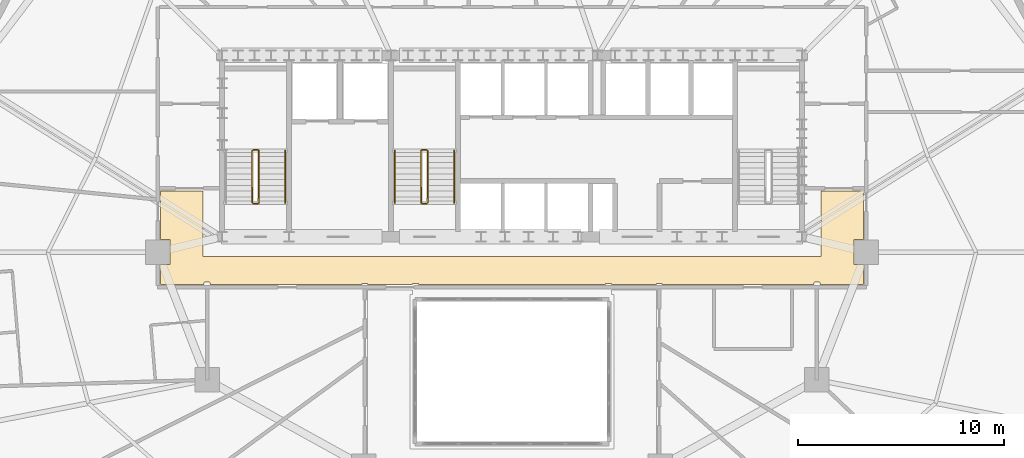
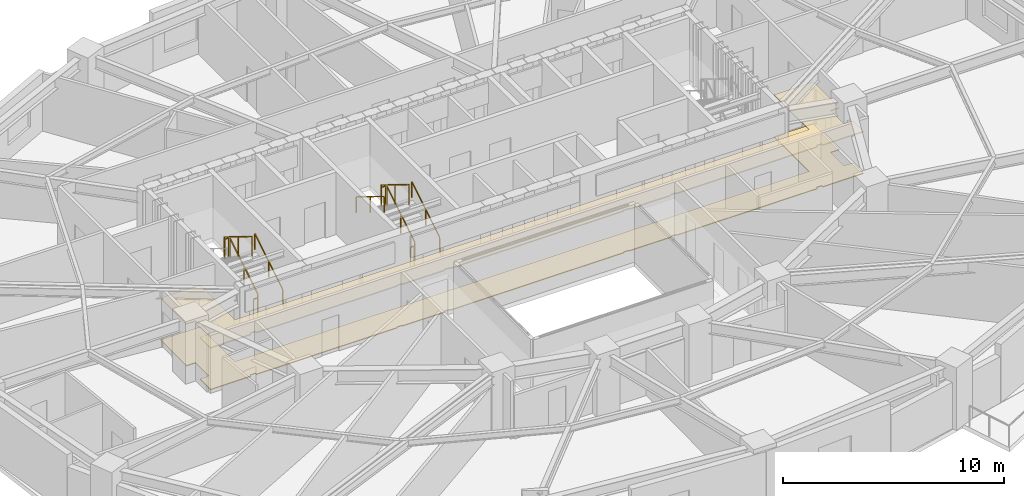
# One storey, part 13 of 14: 11 railings, 2 coverings.
"""IFC4 building model written with IfcOpenShell, lengths in metres."""

import ifcopenshell
import ifcopenshell.guid

model = None  # the IFC model being written
_history = None  # IfcOwnerHistory: only IFC2X3 demands one
_inside = {}  # id of a spatial element -> (the spatial element, [elements in it])
_under = {}  # id of a project, library or spatial element -> (it, [spatial elements below it])
_declared = {}  # id of a project -> (the project, [libraries it declares])
_typed = {}  # id of a type object -> (the type object, [elements of that type])
_made_of = {}  # id of a material, layer set ... -> (it, [elements and type objects made of it])


def new_model(schema):
    """Start an empty IFC model of exactly this schema.

    Asked for "IFC4X3", IfcOpenShell would pick the latest addendum, in which some entities
    have other attributes; the version numbers below select the first issue.
    IFC2X3 requires an IfcOwnerHistory on every rooted entity: one is made here for all.
    """
    global model, _history
    if schema == "IFC4X3":
        model = ifcopenshell.file(schema_version=(4, 3, 0, 0))
    else:
        model = ifcopenshell.file(schema=schema)
    _inside.clear()
    _under.clear()
    _declared.clear()
    _typed.clear()
    _made_of.clear()
    _history = None
    if model.schema == "IFC2X3":
        org = make("IfcOrganization", Name="unknown")
        user = make(
            "IfcPersonAndOrganization",
            ThePerson=make("IfcPerson", FamilyName="unknown"),
            TheOrganization=org,
        )
        app = make(
            "IfcApplication",
            ApplicationDeveloper=org,
            Version="unknown",
            ApplicationFullName="unknown",
            ApplicationIdentifier="unknown",
        )
        _history = make(
            "IfcOwnerHistory",
            OwningUser=user,
            OwningApplication=app,
            ChangeAction="ADDED",
            CreationDate=0,
        )
    return model


def make(cls, **values):
    """One entity of the class cls with the attributes given. An attribute that is None is left unset."""
    return model.create_entity(
        cls, **{name: value for name, value in values.items() if value is not None}
    )


def rooted(cls, **values):
    """An entity with a GlobalId (a new one), such as an element, a storey or a relation."""
    return make(cls, GlobalId=ifcopenshell.guid.new(), OwnerHistory=_history, **values)


def si_unit(unit_type, name, prefix=None):
    """IfcSIUnit, for example si_unit("LENGTHUNIT", "METRE", prefix="MILLI")."""
    return make("IfcSIUnit", UnitType=unit_type, Prefix=prefix, Name=name)


def assignment(units):
    """IfcUnitAssignment: the units of a project."""
    return None if units is None else make("IfcUnitAssignment", Units=units)


def point(xyz):
    """IfcCartesianPoint."""
    return None if xyz is None else make("IfcCartesianPoint", Coordinates=xyz)


def direction(xyz):
    """IfcDirection."""
    return None if xyz is None else make("IfcDirection", DirectionRatios=xyz)


def frame(location, z_axis=None, x_axis=None):
    """IfcAxis2Placement3D, a coordinate frame: its origin and axes. An axis left out is left unset."""
    return make(
        "IfcAxis2Placement3D",
        Location=point(location),
        Axis=direction(z_axis),
        RefDirection=direction(x_axis),
    )


def frame_2d(location, x_axis=None):
    """IfcAxis2Placement2D, a coordinate frame in the plane: its origin and x axis."""
    return make(
        "IfcAxis2Placement2D", Location=point(location), RefDirection=direction(x_axis)
    )


def origin():
    """The frame at (0, 0, 0) with its axes left unset."""
    return frame((0.0, 0.0, 0.0))


def origin_2d():
    """The frame at (0, 0) in the plane with its x axis left unset."""
    return frame_2d((0.0, 0.0))


def place(relative_to, where):
    """IfcLocalPlacement: puts the frame where relative to a parent placement (None: the world)."""
    return make(
        "IfcLocalPlacement", PlacementRelTo=relative_to, RelativePlacement=where
    )


def context(
    kind, dimensions, precision=None, world=None, true_north=None, identifier=None
):
    """IfcGeometricRepresentationContext, for example the 3D "Model" context."""
    return make(
        "IfcGeometricRepresentationContext",
        ContextIdentifier=identifier,
        ContextType=kind,
        CoordinateSpaceDimension=dimensions,
        Precision=precision,
        WorldCoordinateSystem=world,
        TrueNorth=true_north,
    )


def subcontext(parent, identifier, kind, view, scale=None):
    """IfcGeometricRepresentationSubContext, for example "Body" below "Model"."""
    return make(
        "IfcGeometricRepresentationSubContext",
        ContextIdentifier=identifier,
        ContextType=kind,
        ParentContext=parent,
        TargetScale=scale,
        TargetView=view,
    )


def project(units=None, contexts=None):
    """IfcProject with its units and contexts."""
    return rooted(
        "IfcProject",
        Name="project",
        RepresentationContexts=contexts,
        UnitsInContext=assignment(units),
    )


def spatial(cls, under=None, at=None, **own):
    """A site, building, storey or space (cls), placed at a placement, below another one or the project."""
    s = rooted(cls, ObjectPlacement=at, **own)
    if under is not None:
        _under.setdefault(under.id(), (under, []))[1].append(s)
    return s


def polyline(points):
    """IfcPolyline through the points."""
    return make("IfcPolyline", Points=[point(p) for p in points])


def profile(cls, at=None, kind="AREA", **sizes):
    """A parametric profile (cls). Its sizes go by their IFC names, for example OverallWidth=200.0."""
    return make(cls, ProfileType=kind, Position=at, **sizes)


def rectangle(**sizes):
    """IfcRectangleProfileDef."""
    return profile("IfcRectangleProfileDef", **sizes)


def outline(outer, holes=None, kind="AREA"):
    """IfcArbitraryClosedProfileDef: a profile drawn as a closed curve; with holes, ...WithVoids."""
    if holes is None:
        return make("IfcArbitraryClosedProfileDef", ProfileType=kind, OuterCurve=outer)
    return make(
        "IfcArbitraryProfileDefWithVoids",
        ProfileType=kind,
        OuterCurve=outer,
        InnerCurves=holes,
    )


def extrude(swept, where, along, depth):
    """IfcExtrudedAreaSolid: the profile swept, set in the frame where, extruded along a direction by depth."""
    return make(
        "IfcExtrudedAreaSolid",
        SweptArea=swept,
        Position=where,
        ExtrudedDirection=direction(along),
        Depth=depth,
    )


def shape(context_of_items, identifier, shape_type, items):
    """IfcShapeRepresentation: the items that make up one representation, for example the "Body"."""
    return make(
        "IfcShapeRepresentation",
        ContextOfItems=context_of_items,
        RepresentationIdentifier=identifier,
        RepresentationType=shape_type,
        Items=items,
    )


def material(Name=None, Category=None):
    """IfcMaterial."""
    return make("IfcMaterial", Name=Name, Category=Category)


def layer(
    of_material, thickness, ventilated=None, Name=None, Category=None, Priority=None
):
    """IfcMaterialLayer: one layer of a wall or slab, of a material (None: an air gap)."""
    return make(
        "IfcMaterialLayer",
        Material=of_material,
        LayerThickness=thickness,
        IsVentilated=ventilated,
        Name=Name,
        Category=Category,
        Priority=Priority,
    )


def layer_set(layers, Name=None):
    """IfcMaterialLayerSet."""
    return make("IfcMaterialLayerSet", MaterialLayers=layers, LayerSetName=Name)


def made_of(thing, what):
    """Note that an element or type object is made of a material, layer set ...; save() writes the relation."""
    if what is not None:
        _made_of.setdefault(what.id(), (what, []))[1].append(thing)
    return thing


def type_object(cls, material=None, **own):
    """A type object (cls), such as IfcWallType, which elements share."""
    return made_of(rooted(cls, **own), material)


def element(
    cls,
    number,
    at=None,
    inside=None,
    cuts=None,
    type_object=None,
    material=None,
    context=None,
    identifier="Body",
    shape_type=None,
    held_by="IfcProductDefinitionShape",
    body=None,
    shapes=None,
    **own,
):
    """One element of the class cls, such as IfcWall. Its Tag is "e" and its number.

    at: its placement. inside: the storey or other place that contains it. cuts: it is an
    opening in that element (IfcRelVoidsElement). A single representation is given by context,
    identifier, shape_type and body (its items); several are given by shapes. held_by: the class
    of the entity that holds the representations. save() writes the other relations.
    """
    e = rooted(cls, Tag="e%d" % number, ObjectPlacement=at, **own)
    if body is not None:
        shapes = [shape(context, identifier, shape_type, body)]
    if shapes is not None:
        e.Representation = make(held_by, Representations=shapes)
    if inside is not None:
        _inside.setdefault(inside.id(), (inside, []))[1].append(e)
    if cuts is not None:
        rooted(
            "IfcRelVoidsElement", RelatingBuildingElement=cuts, RelatedOpeningElement=e
        )
    if type_object is not None:
        _typed.setdefault(type_object.id(), (type_object, []))[1].append(e)
    return made_of(e, material)


def aggregate(whole, parts):
    """IfcRelAggregates: a whole, such as a stair, and the parts it consists of."""
    return rooted("IfcRelAggregates", RelatingObject=whole, RelatedObjects=parts)


def save(model, path):
    """Write the relations noted so far, then the file.

    IfcRelAggregates (storeys below a building ...), IfcRelContainedInSpatialStructure (elements
    in a storey), IfcRelDefinesByType, IfcRelAssociatesMaterial and IfcRelDeclares: one each for
    every whole, place, type object, material and project.
    """
    for whole, parts in _under.values():
        aggregate(whole, parts)
    for where, things in _inside.values():
        rooted(
            "IfcRelContainedInSpatialStructure",
            RelatedElements=things,
            RelatingStructure=where,
        )
    for kind, things in _typed.values():
        rooted("IfcRelDefinesByType", RelatedObjects=things, RelatingType=kind)
    for what, things in _made_of.values():
        rooted("IfcRelAssociatesMaterial", RelatedObjects=things, RelatingMaterial=what)
    for by, libraries in _declared.values():
        rooted("IfcRelDeclares", RelatingContext=by, RelatedDefinitions=libraries)
    model.write(path)


model = new_model("IFC4")

# Units and contexts
model_context = context("Model", 3, precision=1e-05, world=origin(), true_north=direction((0.0, 1.0)))
body_context = subcontext(model_context, "Body", "Model", "MODEL_VIEW")
ifc_project = project(units=[si_unit("LENGTHUNIT", "METRE"), si_unit("AREAUNIT", "SQUARE_METRE"), si_unit("VOLUMEUNIT", "CUBIC_METRE"), si_unit("PLANEANGLEUNIT", "RADIAN"), si_unit("MASSUNIT", "GRAM", prefix="KILO")], contexts=[model_context])

# Site, building, storey
site_placement = place(None, origin())
site = spatial("IfcSite", under=ifc_project, at=site_placement, CompositionType="ELEMENT")
building_placement = place(site_placement, origin())
building = spatial("IfcBuilding", under=site, at=building_placement, Name="Haldorwick Loom Tower", CompositionType="ELEMENT")
storey_placement = place(building_placement, frame((0.0, 0.0, 95.60009765625)))
storey = spatial("IfcBuildingStorey", under=building, at=storey_placement, Name="L25", CompositionType="ELEMENT", Elevation=95.60009765625)

# Coverings
ifc_material_1 = material(Name="Mineral Fibre Acoustic Ceiling Tile")
ifc_layer_1 = layer(ifc_material_1, 0.054931640625, Name="Mineral Fibre Acoustic Ceiling Tile")
ifc_layer_set_1 = layer_set([ifc_layer_1], Name="Mineral Fibre Acoustic Ceiling Tile")
covering_type_1 = type_object("IfcCoveringType", Name="ARC-COV-CEIL2", PredefinedType="CEILING", material=ifc_layer_set_1)
covering_1_placement = place(storey_placement, frame((0.0, 0.0, 2.302001953125)))
element("IfcCovering", 1, at=covering_1_placement, inside=storey, type_object=covering_type_1, Name="L25 Acoustic Suspended Ceiling 2", PredefinedType="CEILING", context=body_context, shape_type="SweptSolid", body=[
    extrude(outline(polyline([(51.0, 28.9599609375), (51.0, 25.800048828125), (21.0, 25.800048828125), (21.0, 28.9599609375), (18.93994140625, 28.9599609375), (18.93994140625, 26.60791015625), (19.407958984375, 26.60791015625), (19.407958984375, 25.39208984375), (18.93994140625, 25.39208984375), (18.93994140625, 24.43994140625), (21.06005859375, 24.43994140625), (21.06005859375, 24.52001953125), (21.06005859375, 24.52197265625), (21.060302734375, 24.52392578125), (21.060791015625, 24.52587890625), (21.0615234375, 24.527587890625), (21.0625, 24.529296875), (21.0634765625, 24.531005859375), (21.064453125, 24.53271484375), (21.06591796875, 24.5341796875), (21.0673828125, 24.535400390625), (21.06884765625, 24.53662109375), (21.070556640625, 24.53759765625), (21.072265625, 24.53857421875), (21.07421875, 24.5390625), (21.076171875, 24.53955078125), (21.077880859375, 24.539794921875), (21.080078125, 24.5400390625), (21.320068359375, 24.5400390625), (21.322021484375, 24.539794921875), (21.323974609375, 24.53955078125), (21.32568359375, 24.5390625), (21.32763671875, 24.53857421875), (21.329345703125, 24.53759765625), (21.3310546875, 24.53662109375), (21.332763671875, 24.535400390625), (21.333984375, 24.5341796875), (21.33544921875, 24.53271484375), (21.336669921875, 24.531005859375), (21.337646484375, 24.529296875), (21.33837890625, 24.527587890625), (21.339111328125, 24.52587890625), (21.339599609375, 24.52392578125), (21.33984375, 24.52197265625), (21.340087890625, 24.52001953125), (21.340087890625, 24.43994140625), (28.7099609375, 24.43994140625), (28.7099609375, 24.469970703125), (28.710205078125, 24.471923828125), (28.71044921875, 24.473876953125), (28.7109375, 24.475830078125), (28.71142578125, 24.477783203125), (28.71240234375, 24.4794921875), (28.71337890625, 24.481201171875), (28.714599609375, 24.482666015625), (28.7158203125, 24.484130859375), (28.71728515625, 24.485595703125), (28.718994140625, 24.486572265625), (28.720703125, 24.487548828125), (28.722412109375, 24.488525390625), (28.72412109375, 24.489013671875), (28.72607421875, 24.489501953125), (28.72802734375, 24.489990234375), (28.72998046875, 24.489990234375), (28.969970703125, 24.489990234375), (28.971923828125, 24.489990234375), (28.973876953125, 24.489501953125), (28.975830078125, 24.489013671875), (28.977783203125, 24.488525390625), (28.9794921875, 24.487548828125), (28.981201171875, 24.486572265625), (28.982666015625, 24.485595703125), (28.984130859375, 24.484130859375), (28.985595703125, 24.482666015625), (28.986572265625, 24.481201171875), (28.987548828125, 24.4794921875), (28.988525390625, 24.477783203125), (28.989013671875, 24.475830078125), (28.989501953125, 24.473876953125), (28.989990234375, 24.471923828125), (28.989990234375, 24.469970703125), (28.989990234375, 24.43994140625), (31.179931640625, 24.43994140625), (31.179931640625, 24.469970703125), (31.18017578125, 24.471923828125), (31.180419921875, 24.473876953125), (31.180908203125, 24.475830078125), (31.181396484375, 24.477783203125), (31.182373046875, 24.4794921875), (31.183349609375, 24.481201171875), (31.1845703125, 24.482666015625), (31.185791015625, 24.484130859375), (31.187255859375, 24.485595703125), (31.18896484375, 24.486572265625), (31.190673828125, 24.487548828125), (31.1923828125, 24.488525390625), (31.194091796875, 24.489013671875), (31.196044921875, 24.489501953125), (31.197998046875, 24.489990234375), (31.199951171875, 24.489990234375), (31.43994140625, 24.489990234375), (31.44189453125, 24.489990234375), (31.44384765625, 24.489501953125), (31.44580078125, 24.489013671875), (31.44775390625, 24.488525390625), (31.449462890625, 24.487548828125), (31.451171875, 24.486572265625), (31.45263671875, 24.485595703125), (31.4541015625, 24.484130859375), (31.45556640625, 24.482666015625), (31.45654296875, 24.481201171875), (31.45751953125, 24.4794921875), (31.45849609375, 24.477783203125), (31.458984375, 24.475830078125), (31.459716796875, 24.473876953125), (31.4599609375, 24.471923828125), (31.4599609375, 24.469970703125), (31.4599609375, 24.43994140625), (40.5400390625, 24.43994140625), (40.5400390625, 24.469970703125), (40.5400390625, 24.471923828125), (40.540283203125, 24.473876953125), (40.541015625, 24.475830078125), (40.54150390625, 24.477783203125), (40.54248046875, 24.4794921875), (40.54345703125, 24.481201171875), (40.54443359375, 24.482666015625), (40.5458984375, 24.484130859375), (40.54736328125, 24.485595703125), (40.548828125, 24.486572265625), (40.550537109375, 24.487548828125), (40.55224609375, 24.488525390625), (40.55419921875, 24.489013671875), (40.55615234375, 24.489501953125), (40.55810546875, 24.489990234375), (40.56005859375, 24.489990234375), (40.800048828125, 24.489990234375), (40.802001953125, 24.489990234375), (40.803955078125, 24.489501953125), (40.805908203125, 24.489013671875), (40.8076171875, 24.488525390625), (40.809326171875, 24.487548828125), (40.81103515625, 24.486572265625), (40.812744140625, 24.485595703125), (40.814208984375, 24.484130859375), (40.8154296875, 24.482666015625), (40.816650390625, 24.481201171875), (40.817626953125, 24.4794921875), (40.818603515625, 24.477783203125), (40.819091796875, 24.475830078125), (40.819580078125, 24.473876953125), (40.81982421875, 24.471923828125), (40.820068359375, 24.469970703125), (40.820068359375, 24.43994140625), (43.010009765625, 24.43994140625), (43.010009765625, 24.469970703125), (43.010009765625, 24.471923828125), (43.010498046875, 24.473876953125), (43.010986328125, 24.475830078125), (43.011474609375, 24.477783203125), (43.012451171875, 24.4794921875), (43.013427734375, 24.481201171875), (43.014404296875, 24.482666015625), (43.015869140625, 24.484130859375), (43.017333984375, 24.485595703125), (43.018798828125, 24.486572265625), (43.0205078125, 24.487548828125), (43.022216796875, 24.488525390625), (43.024169921875, 24.489013671875), (43.026123046875, 24.489501953125), (43.028076171875, 24.489990234375), (43.030029296875, 24.489990234375), (43.27001953125, 24.489990234375), (43.27197265625, 24.489990234375), (43.27392578125, 24.489501953125), (43.27587890625, 24.489013671875), (43.277587890625, 24.488525390625), (43.279296875, 24.487548828125), (43.281005859375, 24.486572265625), (43.28271484375, 24.485595703125), (43.2841796875, 24.484130859375), (43.285400390625, 24.482666015625), (43.28662109375, 24.481201171875), (43.28759765625, 24.4794921875), (43.28857421875, 24.477783203125), (43.2890625, 24.475830078125), (43.28955078125, 24.473876953125), (43.289794921875, 24.471923828125), (43.2900390625, 24.469970703125), (43.2900390625, 24.43994140625), (50.659912109375, 24.43994140625), (50.659912109375, 24.52001953125), (50.66015625, 24.52197265625), (50.660400390625, 24.52392578125), (50.660888671875, 24.52587890625), (50.66162109375, 24.527587890625), (50.662353515625, 24.529296875), (50.663330078125, 24.531005859375), (50.66455078125, 24.53271484375), (50.666015625, 24.5341796875), (50.667236328125, 24.535400390625), (50.6689453125, 24.53662109375), (50.670654296875, 24.53759765625), (50.67236328125, 24.53857421875), (50.67431640625, 24.5390625), (50.676025390625, 24.53955078125), (50.677978515625, 24.539794921875), (50.679931640625, 24.5400390625), (50.919921875, 24.5400390625), (50.922119140625, 24.539794921875), (50.923828125, 24.53955078125), (50.92578125, 24.5390625), (50.927734375, 24.53857421875), (50.929443359375, 24.53759765625), (50.93115234375, 24.53662109375), (50.9326171875, 24.535400390625), (50.93408203125, 24.5341796875), (50.935546875, 24.53271484375), (50.9365234375, 24.531005859375), (50.9375, 24.529296875), (50.9384765625, 24.527587890625), (50.939208984375, 24.52587890625), (50.939697265625, 24.52392578125), (50.93994140625, 24.52197265625), (50.93994140625, 24.52001953125), (50.93994140625, 24.43994140625), (53.06005859375, 24.43994140625), (53.06005859375, 25.39208984375), (52.592041015625, 25.39208984375), (52.592041015625, 26.60791015625), (53.06005859375, 26.60791015625), (53.06005859375, 28.9599609375), (51.0, 28.9599609375)])), origin(), (0.0, 0.0, 1.0), 0.054931640625),
])
ifc_material_2 = material(Name="Polished Aggregate Terrazzo Finish")
ifc_layer_2 = layer(ifc_material_2, 0.044921875, Name="Polished Aggregate Terrazzo Finish")
ifc_layer_set_2 = layer_set([ifc_layer_2], Name="Polished Aggregate Terrazzo Finish")
covering_type_2 = type_object("IfcCoveringType", Name="ARC-COV-FLOOR2", PredefinedType="FLOORING", material=ifc_layer_set_2)
covering_2_placement = place(storey_placement, origin())
element("IfcCovering", 2, at=covering_2_placement, inside=storey, type_object=covering_type_2, Name="L25 Floor Finish 2", PredefinedType="FLOORING", context=body_context, shape_type="SweptSolid", body=[
    extrude(outline(polyline([(51.0, 28.9599609375), (51.0, 25.800048828125), (21.0, 25.800048828125), (21.0, 28.9599609375), (18.93994140625, 28.9599609375), (18.93994140625, 26.60791015625), (19.407958984375, 26.60791015625), (19.407958984375, 25.39208984375), (18.93994140625, 25.39208984375), (18.93994140625, 24.43994140625), (21.06005859375, 24.43994140625), (21.06005859375, 24.52001953125), (21.06005859375, 24.52197265625), (21.060302734375, 24.52392578125), (21.060791015625, 24.52587890625), (21.0615234375, 24.527587890625), (21.0625, 24.529296875), (21.0634765625, 24.531005859375), (21.064453125, 24.53271484375), (21.06591796875, 24.5341796875), (21.0673828125, 24.535400390625), (21.06884765625, 24.53662109375), (21.070556640625, 24.53759765625), (21.072265625, 24.53857421875), (21.07421875, 24.5390625), (21.076171875, 24.53955078125), (21.077880859375, 24.539794921875), (21.080078125, 24.5400390625), (21.320068359375, 24.5400390625), (21.322021484375, 24.539794921875), (21.323974609375, 24.53955078125), (21.32568359375, 24.5390625), (21.32763671875, 24.53857421875), (21.329345703125, 24.53759765625), (21.3310546875, 24.53662109375), (21.332763671875, 24.535400390625), (21.333984375, 24.5341796875), (21.33544921875, 24.53271484375), (21.336669921875, 24.531005859375), (21.337646484375, 24.529296875), (21.33837890625, 24.527587890625), (21.339111328125, 24.52587890625), (21.339599609375, 24.52392578125), (21.33984375, 24.52197265625), (21.340087890625, 24.52001953125), (21.340087890625, 24.43994140625), (28.7099609375, 24.43994140625), (28.7099609375, 24.469970703125), (28.710205078125, 24.471923828125), (28.71044921875, 24.473876953125), (28.7109375, 24.475830078125), (28.71142578125, 24.477783203125), (28.71240234375, 24.4794921875), (28.71337890625, 24.481201171875), (28.714599609375, 24.482666015625), (28.7158203125, 24.484130859375), (28.71728515625, 24.485595703125), (28.718994140625, 24.486572265625), (28.720703125, 24.487548828125), (28.722412109375, 24.488525390625), (28.72412109375, 24.489013671875), (28.72607421875, 24.489501953125), (28.72802734375, 24.489990234375), (28.72998046875, 24.489990234375), (28.969970703125, 24.489990234375), (28.971923828125, 24.489990234375), (28.973876953125, 24.489501953125), (28.975830078125, 24.489013671875), (28.977783203125, 24.488525390625), (28.9794921875, 24.487548828125), (28.981201171875, 24.486572265625), (28.982666015625, 24.485595703125), (28.984130859375, 24.484130859375), (28.985595703125, 24.482666015625), (28.986572265625, 24.481201171875), (28.987548828125, 24.4794921875), (28.988525390625, 24.477783203125), (28.989013671875, 24.475830078125), (28.989501953125, 24.473876953125), (28.989990234375, 24.471923828125), (28.989990234375, 24.469970703125), (28.989990234375, 24.43994140625), (31.179931640625, 24.43994140625), (31.179931640625, 24.469970703125), (31.18017578125, 24.471923828125), (31.180419921875, 24.473876953125), (31.180908203125, 24.475830078125), (31.181396484375, 24.477783203125), (31.182373046875, 24.4794921875), (31.183349609375, 24.481201171875), (31.1845703125, 24.482666015625), (31.185791015625, 24.484130859375), (31.187255859375, 24.485595703125), (31.18896484375, 24.486572265625), (31.190673828125, 24.487548828125), (31.1923828125, 24.488525390625), (31.194091796875, 24.489013671875), (31.196044921875, 24.489501953125), (31.197998046875, 24.489990234375), (31.199951171875, 24.489990234375), (31.43994140625, 24.489990234375), (31.44189453125, 24.489990234375), (31.44384765625, 24.489501953125), (31.44580078125, 24.489013671875), (31.44775390625, 24.488525390625), (31.449462890625, 24.487548828125), (31.451171875, 24.486572265625), (31.45263671875, 24.485595703125), (31.4541015625, 24.484130859375), (31.45556640625, 24.482666015625), (31.45654296875, 24.481201171875), (31.45751953125, 24.4794921875), (31.45849609375, 24.477783203125), (31.458984375, 24.475830078125), (31.459716796875, 24.473876953125), (31.4599609375, 24.471923828125), (31.4599609375, 24.469970703125), (31.4599609375, 24.43994140625), (40.5400390625, 24.43994140625), (40.5400390625, 24.469970703125), (40.5400390625, 24.471923828125), (40.540283203125, 24.473876953125), (40.541015625, 24.475830078125), (40.54150390625, 24.477783203125), (40.54248046875, 24.4794921875), (40.54345703125, 24.481201171875), (40.54443359375, 24.482666015625), (40.5458984375, 24.484130859375), (40.54736328125, 24.485595703125), (40.548828125, 24.486572265625), (40.550537109375, 24.487548828125), (40.55224609375, 24.488525390625), (40.55419921875, 24.489013671875), (40.55615234375, 24.489501953125), (40.55810546875, 24.489990234375), (40.56005859375, 24.489990234375), (40.800048828125, 24.489990234375), (40.802001953125, 24.489990234375), (40.803955078125, 24.489501953125), (40.805908203125, 24.489013671875), (40.8076171875, 24.488525390625), (40.809326171875, 24.487548828125), (40.81103515625, 24.486572265625), (40.812744140625, 24.485595703125), (40.814208984375, 24.484130859375), (40.8154296875, 24.482666015625), (40.816650390625, 24.481201171875), (40.817626953125, 24.4794921875), (40.818603515625, 24.477783203125), (40.819091796875, 24.475830078125), (40.819580078125, 24.473876953125), (40.81982421875, 24.471923828125), (40.820068359375, 24.469970703125), (40.820068359375, 24.43994140625), (43.010009765625, 24.43994140625), (43.010009765625, 24.469970703125), (43.010009765625, 24.471923828125), (43.010498046875, 24.473876953125), (43.010986328125, 24.475830078125), (43.011474609375, 24.477783203125), (43.012451171875, 24.4794921875), (43.013427734375, 24.481201171875), (43.014404296875, 24.482666015625), (43.015869140625, 24.484130859375), (43.017333984375, 24.485595703125), (43.018798828125, 24.486572265625), (43.0205078125, 24.487548828125), (43.022216796875, 24.488525390625), (43.024169921875, 24.489013671875), (43.026123046875, 24.489501953125), (43.028076171875, 24.489990234375), (43.030029296875, 24.489990234375), (43.27001953125, 24.489990234375), (43.27197265625, 24.489990234375), (43.27392578125, 24.489501953125), (43.27587890625, 24.489013671875), (43.277587890625, 24.488525390625), (43.279296875, 24.487548828125), (43.281005859375, 24.486572265625), (43.28271484375, 24.485595703125), (43.2841796875, 24.484130859375), (43.285400390625, 24.482666015625), (43.28662109375, 24.481201171875), (43.28759765625, 24.4794921875), (43.28857421875, 24.477783203125), (43.2890625, 24.475830078125), (43.28955078125, 24.473876953125), (43.289794921875, 24.471923828125), (43.2900390625, 24.469970703125), (43.2900390625, 24.43994140625), (50.659912109375, 24.43994140625), (50.659912109375, 24.52001953125), (50.66015625, 24.52197265625), (50.660400390625, 24.52392578125), (50.660888671875, 24.52587890625), (50.66162109375, 24.527587890625), (50.662353515625, 24.529296875), (50.663330078125, 24.531005859375), (50.66455078125, 24.53271484375), (50.666015625, 24.5341796875), (50.667236328125, 24.535400390625), (50.6689453125, 24.53662109375), (50.670654296875, 24.53759765625), (50.67236328125, 24.53857421875), (50.67431640625, 24.5390625), (50.676025390625, 24.53955078125), (50.677978515625, 24.539794921875), (50.679931640625, 24.5400390625), (50.919921875, 24.5400390625), (50.922119140625, 24.539794921875), (50.923828125, 24.53955078125), (50.92578125, 24.5390625), (50.927734375, 24.53857421875), (50.929443359375, 24.53759765625), (50.93115234375, 24.53662109375), (50.9326171875, 24.535400390625), (50.93408203125, 24.5341796875), (50.935546875, 24.53271484375), (50.9365234375, 24.531005859375), (50.9375, 24.529296875), (50.9384765625, 24.527587890625), (50.939208984375, 24.52587890625), (50.939697265625, 24.52392578125), (50.93994140625, 24.52197265625), (50.93994140625, 24.52001953125), (50.93994140625, 24.43994140625), (53.06005859375, 24.43994140625), (53.06005859375, 25.39208984375), (52.592041015625, 25.39208984375), (52.592041015625, 26.60791015625), (53.06005859375, 26.60791015625), (53.06005859375, 28.9599609375), (51.0, 28.9599609375)])), origin(), (0.0, 0.0, 1.0), 0.044921875),
])

# Railings
ifc_material_3 = material(Name="Steel CSA G40.21 350W", Category="steel")
railing_type_1 = type_object("IfcRailingType", Name="ARC-RLG-GUARD112", PredefinedType="GUARDRAIL", material=ifc_material_3)
railing_1_placement = place(storey_placement, frame((23.699951171875, 28.39990234375, 0.17236328125)))
element("IfcRailing", 3, at=railing_1_placement, inside=storey, type_object=railing_type_1, Name="L25 ST-01 stair guard 1", PredefinedType="GUARDRAIL", context=body_context, shape_type="SweptSolid", body=[
    extrude(rectangle(XDim=0.048095703125, YDim=0.048095703125, at=origin_2d()), frame((0.0, 0.0, 1.076171875), z_axis=(0.0, 0.851400495292, 0.524516154772), x_axis=(-1.0, 0.0, 0.0)), (0.0, 0.0, 1.0), 2.9599609375),
    extrude(rectangle(XDim=0.0419921875, YDim=0.0419921875, at=origin_2d()), origin(), (0.0, 0.0, 1.0), 1.052001953125),
    extrude(rectangle(XDim=0.0419921875, YDim=0.0419921875, at=origin_2d()), frame((0.0, 1.260009765625, 0.7763671875)), (0.0, 0.0, 1.0), 1.052001953125),
    extrude(rectangle(XDim=0.0419921875, YDim=0.0419921875, at=origin_2d()), frame((0.0, 2.52001953125, 1.552490234375)), (0.0, 0.0, 1.0), 1.052001953125),
])
railing_2_placement = place(storey_placement, frame((23.64990234375, 30.969970703125, 1.724853515625)))
element("IfcRailing", 4, at=railing_2_placement, inside=storey, type_object=railing_type_1, Name="L25 ST-01 stair guard 2", PredefinedType="GUARDRAIL", context=body_context, shape_type="SweptSolid", body=[
    extrude(rectangle(XDim=0.048095703125, YDim=0.048095703125, at=origin_2d()), frame((0.0, 0.0, 1.076171875), z_axis=(-1.0, 0.0, 0.0), x_axis=(0.0, -1.0, 0.0)), (0.0, 0.0, 1.0), 0.199951171875),
    extrude(rectangle(XDim=0.0419921875, YDim=0.0419921875, at=origin_2d()), origin(), (0.0, 0.0, 1.0), 1.052001953125),
    extrude(rectangle(XDim=0.0419921875, YDim=0.0419921875, at=origin_2d()), frame((-0.199951171875, 0.0, 0.0)), (0.0, 0.0, 1.0), 1.052001953125),
])
railing_3_placement = place(storey_placement, frame((23.39990234375, 30.919921875, 1.8974609375)))
element("IfcRailing", 5, at=railing_3_placement, inside=storey, type_object=railing_type_1, Name="L25 ST-01 stair guard 3", PredefinedType="GUARDRAIL", context=body_context, shape_type="SweptSolid", body=[
    extrude(rectangle(XDim=0.048095703125, YDim=0.048095703125, at=origin_2d()), frame((0.0, 0.0, 1.076171875), z_axis=(0.0, -0.851400495292, 0.524516154772), x_axis=(1.0, 0.0, 0.0)), (0.0, 0.0, 1.0), 2.9599609375),
    extrude(rectangle(XDim=0.0419921875, YDim=0.0419921875, at=origin_2d()), origin(), (0.0, 0.0, 1.0), 1.052001953125),
    extrude(rectangle(XDim=0.0419921875, YDim=0.0419921875, at=origin_2d()), frame((0.0, -1.260009765625, 0.7763671875)), (0.0, 0.0, 1.0), 1.052001953125),
    extrude(rectangle(XDim=0.0419921875, YDim=0.0419921875, at=origin_2d()), frame((0.0, -2.52001953125, 1.552490234375)), (0.0, 0.0, 1.0), 1.052001953125),
])
railing_4_placement = place(storey_placement, frame((23.64990234375, 28.35009765625, 0.0)))
element("IfcRailing", 6, at=railing_4_placement, inside=storey, type_object=railing_type_1, Name="L25 ST-01 stair guard 4", PredefinedType="GUARDRAIL", context=body_context, shape_type="SweptSolid", body=[
    extrude(rectangle(XDim=0.048095703125, YDim=0.048095703125, at=origin_2d()), frame((0.0, 0.0, 1.076171875), z_axis=(-1.0, 0.0, 0.0), x_axis=(0.0, -1.0, 0.0)), (0.0, 0.0, 1.0), 0.199951171875),
    extrude(rectangle(XDim=0.0419921875, YDim=0.0419921875, at=origin_2d()), origin(), (0.0, 0.0, 1.0), 1.052001953125),
    extrude(rectangle(XDim=0.0419921875, YDim=0.0419921875, at=origin_2d()), frame((-0.199951171875, 0.0, 0.0)), (0.0, 0.0, 1.0), 1.052001953125),
])
railing_5_placement = place(storey_placement, frame((31.89990234375, 28.39990234375, 0.17236328125)))
element("IfcRailing", 7, at=railing_5_placement, inside=storey, type_object=railing_type_1, Name="L25 ST-03 stair guard 1", PredefinedType="GUARDRAIL", context=body_context, shape_type="SweptSolid", body=[
    extrude(rectangle(XDim=0.048095703125, YDim=0.048095703125, at=origin_2d()), frame((0.0, 0.0, 1.076171875), z_axis=(0.0, 0.851400495292, 0.524516154772), x_axis=(-1.0, 0.0, 0.0)), (0.0, 0.0, 1.0), 2.9599609375),
    extrude(rectangle(XDim=0.0419921875, YDim=0.0419921875, at=origin_2d()), origin(), (0.0, 0.0, 1.0), 1.052001953125),
    extrude(rectangle(XDim=0.0419921875, YDim=0.0419921875, at=origin_2d()), frame((0.0, 1.260009765625, 0.7763671875)), (0.0, 0.0, 1.0), 1.052001953125),
    extrude(rectangle(XDim=0.0419921875, YDim=0.0419921875, at=origin_2d()), frame((0.0, 2.52001953125, 1.552490234375)), (0.0, 0.0, 1.0), 1.052001953125),
])
railing_6_placement = place(storey_placement, frame((31.85009765625, 30.969970703125, 1.724853515625)))
element("IfcRailing", 8, at=railing_6_placement, inside=storey, type_object=railing_type_1, Name="L25 ST-03 stair guard 2", PredefinedType="GUARDRAIL", context=body_context, shape_type="SweptSolid", body=[
    extrude(rectangle(XDim=0.048095703125, YDim=0.048095703125, at=origin_2d()), frame((0.0, 0.0, 1.076171875), z_axis=(-1.0, 0.0, 0.0), x_axis=(0.0, -1.0, 0.0)), (0.0, 0.0, 1.0), 0.2001953125),
    extrude(rectangle(XDim=0.0419921875, YDim=0.0419921875, at=origin_2d()), origin(), (0.0, 0.0, 1.0), 1.052001953125),
    extrude(rectangle(XDim=0.0419921875, YDim=0.0419921875, at=origin_2d()), frame((-0.2001953125, 0.0, 0.0)), (0.0, 0.0, 1.0), 1.052001953125),
])
railing_7_placement = place(storey_placement, frame((31.60009765625, 30.919921875, 1.8974609375)))
element("IfcRailing", 9, at=railing_7_placement, inside=storey, type_object=railing_type_1, Name="L25 ST-03 stair guard 3", PredefinedType="GUARDRAIL", context=body_context, shape_type="SweptSolid", body=[
    extrude(rectangle(XDim=0.048095703125, YDim=0.048095703125, at=origin_2d()), frame((0.0, 0.0, 1.076171875), z_axis=(0.0, -0.851400495292, 0.524516154772), x_axis=(1.0, 0.0, 0.0)), (0.0, 0.0, 1.0), 2.9599609375),
    extrude(rectangle(XDim=0.0419921875, YDim=0.0419921875, at=origin_2d()), origin(), (0.0, 0.0, 1.0), 1.052001953125),
    extrude(rectangle(XDim=0.0419921875, YDim=0.0419921875, at=origin_2d()), frame((0.0, -1.260009765625, 0.7763671875)), (0.0, 0.0, 1.0), 1.052001953125),
    extrude(rectangle(XDim=0.0419921875, YDim=0.0419921875, at=origin_2d()), frame((0.0, -2.52001953125, 1.552490234375)), (0.0, 0.0, 1.0), 1.052001953125),
])
railing_8_placement = place(storey_placement, frame((31.85009765625, 28.35009765625, 0.0)))
element("IfcRailing", 10, at=railing_8_placement, inside=storey, type_object=railing_type_1, Name="L25 ST-03 stair guard 4", PredefinedType="GUARDRAIL", context=body_context, shape_type="SweptSolid", body=[
    extrude(rectangle(XDim=0.048095703125, YDim=0.048095703125, at=origin_2d()), frame((0.0, 0.0, 1.076171875), z_axis=(-1.0, 0.0, 0.0), x_axis=(0.0, -1.0, 0.0)), (0.0, 0.0, 1.0), 0.2001953125),
    extrude(rectangle(XDim=0.0419921875, YDim=0.0419921875, at=origin_2d()), origin(), (0.0, 0.0, 1.0), 1.052001953125),
    extrude(rectangle(XDim=0.0419921875, YDim=0.0419921875, at=origin_2d()), frame((-0.2001953125, 0.0, 0.0)), (0.0, 0.0, 1.0), 1.052001953125),
])
railing_type_2 = type_object("IfcRailingType", Name="ARC-RLG-HAND092", PredefinedType="HANDRAIL", material=ifc_material_3)
for number, where, name in (
    (11, (25.0, 28.39990234375, 0.17236328125), "L25 ST-01 stair handrail 1"),
    (12, (33.199951171875, 28.39990234375, 0.17236328125), "L25 ST-03 stair handrail 1"),
):
    element("IfcRailing", number, at=place(storey_placement, frame(where)), inside=storey, type_object=railing_type_2, Name=name, PredefinedType="HANDRAIL", context=body_context, shape_type="SweptSolid", body=[
        extrude(rectangle(XDim=0.048095703125, YDim=0.048095703125, at=origin_2d()), frame((0.0, 0.0, 0.8759765625), z_axis=(0.0, 0.851400495292, 0.524516154772), x_axis=(-1.0, 0.0, 0.0)), (0.0, 0.0, 1.0), 2.9599609375),
        extrude(rectangle(XDim=0.0419921875, YDim=0.0419921875, at=origin_2d()), origin(), (0.0, 0.0, 1.0), 0.851806640625),
        extrude(rectangle(XDim=0.0419921875, YDim=0.0419921875, at=origin_2d()), frame((0.0, 1.260009765625, 0.7763671875)), (0.0, 0.0, 1.0), 0.851806640625),
        extrude(rectangle(XDim=0.0419921875, YDim=0.0419921875, at=origin_2d()), frame((0.0, 2.52001953125, 1.552490234375)), (0.0, 0.0, 1.0), 0.851806640625),
    ])
railing_9_placement = place(storey_placement, frame((30.300048828125, 30.919921875, 1.8974609375)))
element("IfcRailing", 13, at=railing_9_placement, inside=storey, type_object=railing_type_2, Name="L25 ST-03 stair handrail 2", PredefinedType="HANDRAIL", context=body_context, shape_type="SweptSolid", body=[
    extrude(rectangle(XDim=0.048095703125, YDim=0.048095703125, at=origin_2d()), frame((0.0, 0.0, 0.8759765625), z_axis=(0.0, -0.851400495292, 0.524516154772), x_axis=(1.0, 0.0, 0.0)), (0.0, 0.0, 1.0), 2.9599609375),
    extrude(rectangle(XDim=0.0419921875, YDim=0.0419921875, at=origin_2d()), origin(), (0.0, 0.0, 1.0), 0.851806640625),
    extrude(rectangle(XDim=0.0419921875, YDim=0.0419921875, at=origin_2d()), frame((0.0, -1.260009765625, 0.7763671875)), (0.0, 0.0, 1.0), 0.851806640625),
    extrude(rectangle(XDim=0.0419921875, YDim=0.0419921875, at=origin_2d()), frame((0.0, -2.52001953125, 1.552490234375)), (0.0, 0.0, 1.0), 0.851806640625),
])

save(model, "model.ifc")
